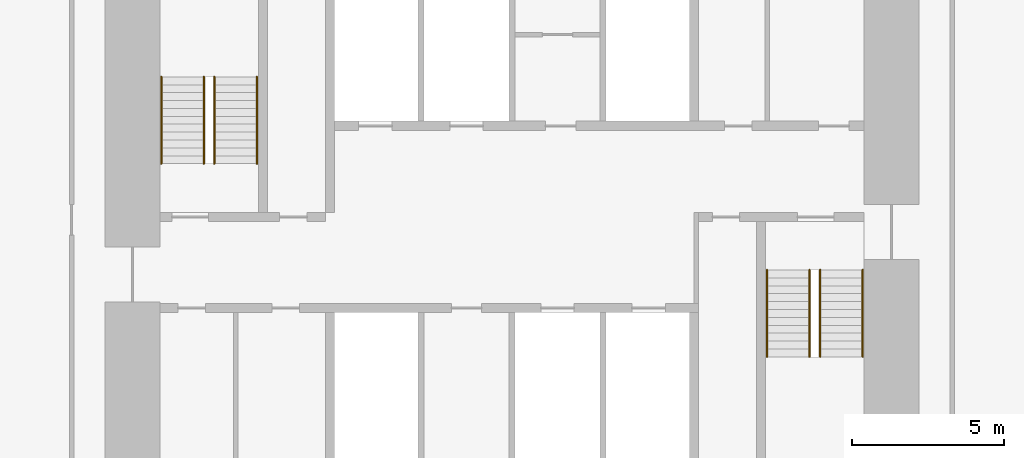
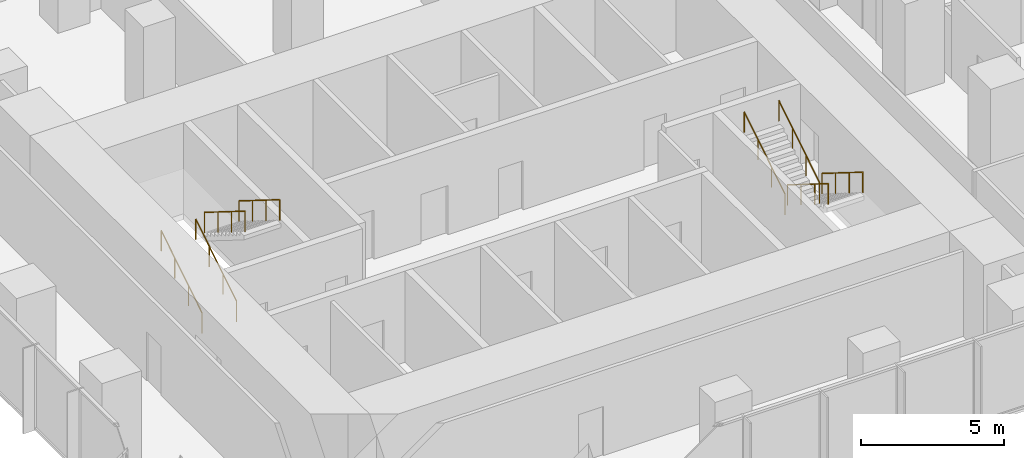
# One storey, part 11 of 11: 8 railings.
"""IFC4 building model written with IfcOpenShell, lengths in metres."""

from ifc_helpers import new_model, si_unit, direction, frame, origin, origin_2d, place, context, subcontext, project, spatial, circle, extrude, material, type_object, element, save


model = new_model("IFC4")

# Units and contexts
model_context = context("Model", 3, precision=1e-05, world=origin(), true_north=direction((0.0, 1.0)))
body_context = subcontext(model_context, "Body", "Model", "MODEL_VIEW")
ifc_project = project(units=[si_unit("LENGTHUNIT", "METRE"), si_unit("AREAUNIT", "SQUARE_METRE"), si_unit("VOLUMEUNIT", "CUBIC_METRE"), si_unit("PLANEANGLEUNIT", "RADIAN"), si_unit("MASSUNIT", "GRAM", prefix="KILO")], contexts=[model_context])

# Site, building, storey
site_placement = place(None, origin())
site = spatial("IfcSite", under=ifc_project, at=site_placement, CompositionType="ELEMENT")
building_placement = place(site_placement, origin())
building = spatial("IfcBuilding", under=site, at=building_placement, Name="Highveld Stack Headquarters", CompositionType="ELEMENT")
storey_placement = place(building_placement, frame((0.0, 0.0, 185.0)))
storey = spatial("IfcBuildingStorey", under=building, at=storey_placement, Name="L45", CompositionType="ELEMENT", Elevation=185.0)

# Railings
ifc_material = material(Name="Stainless steel handrail", Category="steel")
railing_type = type_object("IfcRailingType", Name="STAIR HANDRAIL HR1 900", PredefinedType="HANDRAIL", material=ifc_material)
for number, where, name in (
    (1, (-5.550048828125, 4.75, 0.16259765625), "Handrail S1 L45 flight 1"),
    (2, (-4.14990234375, 4.75, 0.16259765625), "Handrail S1 L45 flight 1"),
):
    element("IfcRailing", number, at=place(storey_placement, frame(where)), inside=storey, type_object=railing_type, Name=name, PredefinedType="HANDRAIL", context=body_context, shape_type="SweptSolid", body=[
        extrude(circle(Radius=0.02392578125, at=origin_2d()), frame((0.0, 0.0, 0.8759765625), z_axis=(0.0, 0.848026770018, 0.529953391661), x_axis=(-1.0, 0.0, 0.0)), (0.0, 0.0, 1.0), 3.37255859375),
        extrude(circle(Radius=0.02099609375, at=origin_2d()), origin(), (0.0, 0.0, 1.0), 0.851806640625),
        extrude(circle(Radius=0.02099609375, at=origin_2d()), frame((0.0, 0.953369140625, 0.595703125)), (0.0, 0.0, 1.0), 0.851806640625),
        extrude(circle(Radius=0.02099609375, at=origin_2d()), frame((0.0, 1.90673828125, 1.191650390625)), (0.0, 0.0, 1.0), 0.851806640625),
        extrude(circle(Radius=0.02099609375, at=origin_2d()), frame((0.0, 2.860107421875, 1.787353515625)), (0.0, 0.0, 1.0), 0.851806640625),
    ])
for number, where, name in (
    (3, (-3.800048828125, 7.610107421875, 2.112548828125), "Handrail S1 L45 flight 2"),
    (4, (-2.39990234375, 7.610107421875, 2.112548828125), "Handrail S1 L45 flight 2"),
    (5, (16.14990234375, 1.25, 0.16259765625), "Handrail S2 L45 flight 1"),
    (6, (17.550048828125, 1.25, 0.16259765625), "Handrail S2 L45 flight 1"),
):
    element("IfcRailing", number, at=place(storey_placement, frame(where)), inside=storey, type_object=railing_type, Name=name, PredefinedType="HANDRAIL", context=body_context, shape_type="SweptSolid", body=[
        extrude(circle(Radius=0.02392578125, at=origin_2d()), frame((0.0, 0.0, 0.8759765625), z_axis=(0.0, -0.848026770018, 0.529953391661), x_axis=(1.0, 0.0, 0.0)), (0.0, 0.0, 1.0), 3.37255859375),
        extrude(circle(Radius=0.02099609375, at=origin_2d()), origin(), (0.0, 0.0, 1.0), 0.851806640625),
        extrude(circle(Radius=0.02099609375, at=origin_2d()), frame((0.0, -0.953369140625, 0.595703125)), (0.0, 0.0, 1.0), 0.851806640625),
        extrude(circle(Radius=0.02099609375, at=origin_2d()), frame((0.0, -1.90673828125, 1.191650390625)), (0.0, 0.0, 1.0), 0.851806640625),
        extrude(circle(Radius=0.02099609375, at=origin_2d()), frame((0.0, -2.860107421875, 1.787353515625)), (0.0, 0.0, 1.0), 0.851806640625),
    ])
for number, where, name in (
    (7, (14.39990234375, -1.610107421875, 2.112548828125), "Handrail S2 L45 flight 2"),
    (8, (15.800048828125, -1.610107421875, 2.112548828125), "Handrail S2 L45 flight 2"),
):
    element("IfcRailing", number, at=place(storey_placement, frame(where)), inside=storey, type_object=railing_type, Name=name, PredefinedType="HANDRAIL", context=body_context, shape_type="SweptSolid", body=[
        extrude(circle(Radius=0.02392578125, at=origin_2d()), frame((0.0, 0.0, 0.8759765625), z_axis=(0.0, 0.848026770018, 0.529953391661), x_axis=(-1.0, 0.0, 0.0)), (0.0, 0.0, 1.0), 3.37255859375),
        extrude(circle(Radius=0.02099609375, at=origin_2d()), origin(), (0.0, 0.0, 1.0), 0.851806640625),
        extrude(circle(Radius=0.02099609375, at=origin_2d()), frame((0.0, 0.953369140625, 0.595703125)), (0.0, 0.0, 1.0), 0.851806640625),
        extrude(circle(Radius=0.02099609375, at=origin_2d()), frame((0.0, 1.90673828125, 1.191650390625)), (0.0, 0.0, 1.0), 0.851806640625),
        extrude(circle(Radius=0.02099609375, at=origin_2d()), frame((0.0, 2.860107421875, 1.787353515625)), (0.0, 0.0, 1.0), 0.851806640625),
    ])

save(model, "model.ifc")
